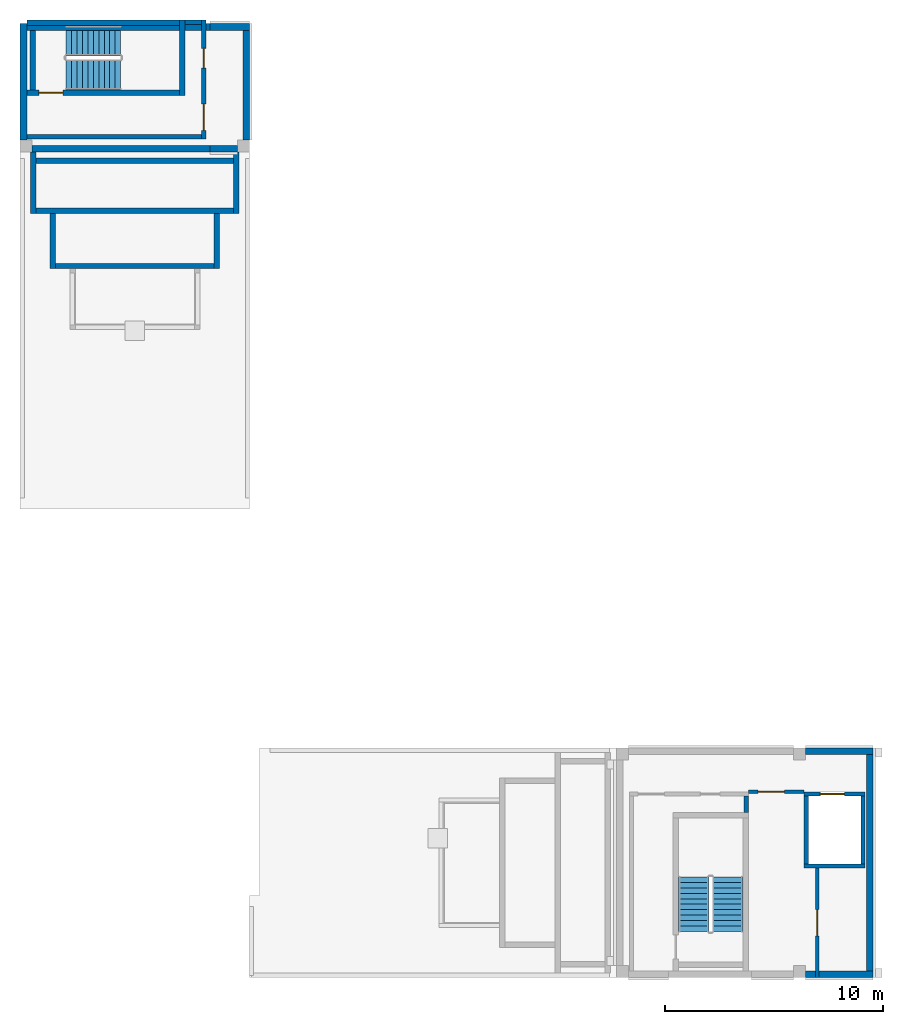
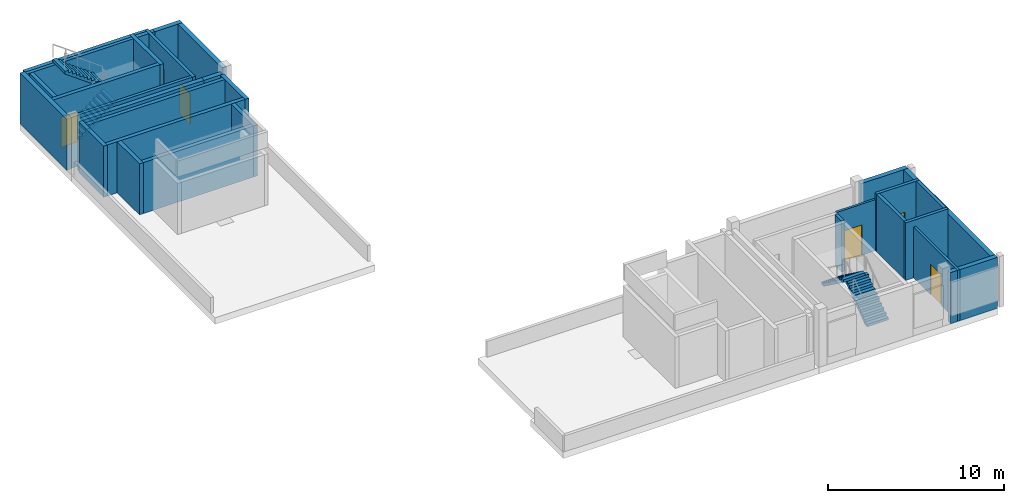
# One storey, part 2 of 4: 30 walls, 6 doors, 4 stair flights, 6 openings, 2 elements without a shape of their own.
"""IFC4 building model written with IfcOpenShell, lengths in metres."""

from ifc_helpers import new_model, si_unit, direction, frame, frame_2d, origin, place, context, subcontext, project, spatial, polyline, rectangle, outline, extrude, source, transform, mapped, material, layer, layer_set, type_object, element, fill, aggregate, save


model = new_model("IFC4")

# Units and contexts
model_context = context("Model", 3, precision=1e-05, world=origin(), true_north=direction((0.0, 1.0)))
body_context = subcontext(model_context, "Body", "Model", "MODEL_VIEW")
ifc_project = project(units=[si_unit("LENGTHUNIT", "METRE"), si_unit("AREAUNIT", "SQUARE_METRE"), si_unit("VOLUMEUNIT", "CUBIC_METRE"), si_unit("PLANEANGLEUNIT", "RADIAN"), si_unit("MASSUNIT", "GRAM", prefix="KILO")], contexts=[model_context])

# Site, building, storey
site_placement = place(None, origin())
site = spatial("IfcSite", under=ifc_project, at=site_placement, CompositionType="ELEMENT")
building_placement = place(site_placement, origin())
building = spatial("IfcBuilding", under=site, at=building_placement, Name="Aurelian Terraces", CompositionType="ELEMENT")
storey_placement = place(building_placement, frame((0.0, 0.0, 376.5)))
storey = spatial("IfcBuildingStorey", under=building, at=storey_placement, Name="L90", CompositionType="ELEMENT", Elevation=376.5)

# Walls
ifc_material_1 = material(Name="Terracotta rainscreen cladding", Category="masonry")
ifc_layer_1 = layer(ifc_material_1, 0.3)
ifc_layer_set_1 = layer_set([ifc_layer_1], Name="EW-300")
wall_type_1 = type_object("IfcWallType", Name="EW-300", PredefinedType="STANDARD", material=ifc_layer_set_1)
wall_1_placement = place(storey_placement, frame((19.2, 37.95, 0.0), z_axis=(0.0, 0.0, 1.0), x_axis=(1.0, 0.0, 0.0)))
element("IfcWall", 1, at=wall_1_placement, inside=storey, type_object=wall_type_1, Name="External wall L90 F05.2", PredefinedType="STANDARD", context=body_context, shape_type="SweptSolid", body=[
    extrude(rectangle(XDim=1.25, YDim=0.3, at=frame_2d((0.625, 0.0))), origin(), (0.0, 0.0, 1.0), 3.55),
])
wall_2_placement = place(storey_placement, frame((20.85, 38.35, 0.0), z_axis=(0.0, 0.0, 1.0), x_axis=(0.0, 1.0, 0.0)))
element("IfcWall", 2, at=wall_2_placement, inside=storey, type_object=wall_type_1, Name="External wall L90 F06.1", PredefinedType="STANDARD", context=body_context, shape_type="SweptSolid", body=[
    extrude(rectangle(XDim=5.33, YDim=0.3, at=frame_2d((2.665, 0.0))), origin(), (0.0, 0.0, 1.0), 3.55),
])
ifc_material_2 = material(Name="Concrete fc' 55 MPa", Category="concrete")
ifc_layer_2 = layer(ifc_material_2, 0.25)
ifc_layer_set_2 = layer_set([ifc_layer_2], Name="PLANT PENTHOUSE 250 FC55")
wall_type_2 = type_object("IfcWallType", Name="PLANT PENTHOUSE 250 FC55", PredefinedType="SOLIDWALL", material=ifc_layer_set_2)
wall_3_placement = place(storey_placement, frame((12.125, 32.583, 0.0), z_axis=(0.0, 0.0, 1.0), x_axis=(1.0, 0.0, 0.0)))
element("IfcWall", 3, at=wall_3_placement, inside=storey, type_object=wall_type_2, Name="Crown tier wall BS2", PredefinedType="SOLIDWALL", context=body_context, shape_type="SweptSolid", body=[
    extrude(rectangle(XDim=7.25, YDim=0.25, at=frame_2d((3.625, 0.0))), origin(), (0.0, 0.0, 1.0), 3.55),
])
wall_4_placement = place(storey_placement, frame((19.5, 32.458, 0.0), z_axis=(0.0, 0.0, 1.0), x_axis=(0.0, 1.0, 0.0)))
element("IfcWall", 4, at=wall_4_placement, inside=storey, type_object=wall_type_2, Name="Crown tier wall BS2", PredefinedType="SOLIDWALL", context=body_context, shape_type="SweptSolid", body=[
    extrude(rectangle(XDim=2.534, YDim=0.25, at=frame_2d((1.267, 0.0))), origin(), (0.0, 0.0, 1.0), 3.55),
])
wall_5_placement = place(storey_placement, frame((11.225, 35.117, 0.0), z_axis=(0.0, 0.0, 1.0), x_axis=(1.0, 0.0, 0.0)))
element("IfcWall", 5, at=wall_5_placement, inside=storey, type_object=wall_type_2, Name="Crown tier wall BS3", PredefinedType="SOLIDWALL", context=body_context, shape_type="SweptSolid", body=[
    extrude(rectangle(XDim=9.05, YDim=0.25, at=frame_2d((4.525, 0.0))), origin(), (0.0, 0.0, 1.0), 3.55),
])
wall_6_placement = place(storey_placement, frame((20.4, 34.992, 0.0), z_axis=(0.0, 0.0, 1.0), x_axis=(0.0, 1.0, 0.0)))
element("IfcWall", 6, at=wall_6_placement, inside=storey, type_object=wall_type_2, Name="Crown tier wall BS3", PredefinedType="SOLIDWALL", context=body_context, shape_type="SweptSolid", body=[
    extrude(rectangle(XDim=2.808, YDim=0.25, at=frame_2d((1.404, 0.0))), origin(), (0.0, 0.0, 1.0), 3.55),
])
ifc_material_3 = material(Name="Concrete fc' 40 MPa", Category="concrete")
ifc_layer_3 = layer(ifc_material_3, 0.3)
ifc_layer_set_3 = layer_set([ifc_layer_3], Name="STAIR BAY WALL 300")
wall_type_3 = type_object("IfcWallType", Name="STAIR BAY WALL 300", PredefinedType="SOLIDWALL", material=ifc_layer_set_3)
wall_7_placement = place(storey_placement, frame((11.05, 37.95, 0.0), z_axis=(0.0, 0.0, 1.0), x_axis=(1.0, 0.0, 0.0)))
element("IfcWall", 7, at=wall_7_placement, inside=storey, type_object=wall_type_3, Name="Stair bay wall L90 F05.1", PredefinedType="SOLIDWALL", context=body_context, shape_type="SweptSolid", body=[
    extrude(rectangle(XDim=8.15, YDim=0.3, at=frame_2d((4.075, 0.0))), origin(), (0.0, 0.0, 1.0), 3.55),
])
wall_8_placement = place(storey_placement, frame((10.65, 43.68, 0.0), z_axis=(0.0, 0.0, 1.0), x_axis=(0.0, -1.0, 0.0)))
element("IfcWall", 8, at=wall_8_placement, inside=storey, type_object=wall_type_3, Name="Stair bay wall L90 F08.1", PredefinedType="SOLIDWALL", context=body_context, shape_type="SweptSolid", body=[
    extrude(rectangle(XDim=5.33, YDim=0.3, at=frame_2d((2.665, 0.0))), origin(), (0.0, 0.0, 1.0), 3.55),
])

# Wall, opening, door
ifc_material_4 = material(Name="Gypsum board on steel studs", Category="steel")
ifc_layer_4 = layer(ifc_material_4, 0.15)
ifc_layer_set_4 = layer_set([ifc_layer_4], Name="Special partition 150")
wall_type_4 = type_object("IfcWallType", Name="Special partition 150", PredefinedType="PARTITIONING", material=ifc_layer_set_4)
wall_9_placement = place(storey_placement, frame((47.0, 0.0, 0.0), z_axis=(0.0, 0.0, 1.0), x_axis=(0.0, 1.0, 0.0)))
wall_9 = element("IfcWall", 9, at=wall_9_placement, inside=storey, type_object=wall_type_4, Name="L90 partition W02", PredefinedType="PARTITIONING", context=body_context, shape_type="SweptSolid", body=[
    extrude(rectangle(XDim=5.0, YDim=0.15, at=frame_2d((2.5, 0.0))), origin(), (0.0, 0.0, 1.0), 3.55),
])
shared_shape_1 = source(origin(), body_context, "Body", "SweptSolid", [
    extrude(rectangle(XDim=1.2, YDim=2.1, at=frame_2d((0.6, 1.05))), frame((0.0, 0.085, 0.0), z_axis=(0.0, -1.0, 0.0), x_axis=(1.0, 0.0, 0.0)), (0.0, 0.0, 1.0), 0.17),
])
opening_1_placement = place(wall_9_placement, frame((1.9, 0.0, 0.0)))
opening_1 = element("IfcOpeningElement", 10, at=opening_1_placement, cuts=wall_9, Name="Opening 79302", PredefinedType="OPENING", context=body_context, shape_type="MappedRepresentation", body=[
    mapped(shared_shape_1, transform((0.0, 0.0, 0.0), scale=1.0)),
])
ifc_material_5 = material(Name="Steel door leaf", Category="steel")
door_type_1 = type_object("IfcDoorType", Name="Special door 1200x2100", OperationType="SINGLE_SWING_LEFT", PredefinedType="DOOR", material=ifc_material_5)
shared_shape_2 = source(origin(), body_context, "Body", "SweptSolid", [
    extrude(rectangle(XDim=1.2, YDim=2.1, at=frame_2d((0.6, 1.05))), frame((0.0, 0.025, 0.0), z_axis=(0.0, -1.0, 0.0), x_axis=(1.0, 0.0, 0.0)), (0.0, 0.0, 1.0), 0.05),
])
door_1_placement = place(opening_1_placement, origin())
door_1 = element("IfcDoor", 11, at=door_1_placement, inside=storey, type_object=door_type_1, Name="Door 79302", OperationType="SINGLE_SWING_LEFT", OverallHeight=2.1, OverallWidth=1.2, PredefinedType="DOOR", context=body_context, shape_type="MappedRepresentation", body=[
    mapped(shared_shape_2, transform((0.0, 0.0, 0.0), scale=1.0)),
])
fill(opening_1, door_1)

# Walls
shared_shape_3 = source(origin(), body_context, "Body", "SweptSolid", [
    extrude(rectangle(XDim=2.534, YDim=0.25, at=frame_2d((1.267, 0.0))), origin(), (0.0, 0.0, 1.0), 3.55),
])
wall_10_placement = place(storey_placement, frame((12.0, 34.992, 0.0), z_axis=(0.0, 0.0, 1.0), x_axis=(0.0, -1.0, 0.0)))
element("IfcWall", 12, at=wall_10_placement, inside=storey, type_object=wall_type_2, Name="Crown tier wall BS2", PredefinedType="SOLIDWALL", context=body_context, shape_type="MappedRepresentation", body=[
    mapped(shared_shape_3, transform((0.0, 0.0, 0.0), scale=1.0)),
])
shared_shape_4 = source(origin(), body_context, "Body", "SweptSolid", [
    extrude(rectangle(XDim=9.05, YDim=0.25, at=frame_2d((4.525, 0.0))), origin(), (0.0, 0.0, 1.0), 3.55),
])
wall_11_placement = place(storey_placement, frame((20.275, 37.4, 0.0), z_axis=(0.0, 0.0, 1.0), x_axis=(-1.0, 0.0, 0.0)))
element("IfcWall", 13, at=wall_11_placement, inside=storey, type_object=wall_type_2, Name="Crown tier wall BS3", PredefinedType="SOLIDWALL", context=body_context, shape_type="MappedRepresentation", body=[
    mapped(shared_shape_4, transform((0.0, 0.0, 0.0), scale=1.0)),
])
shared_shape_5 = source(origin(), body_context, "Body", "SweptSolid", [
    extrude(rectangle(XDim=2.808, YDim=0.25, at=frame_2d((1.404, 0.0))), origin(), (0.0, 0.0, 1.0), 3.55),
])
wall_12_placement = place(storey_placement, frame((11.1, 37.8, 0.0), z_axis=(0.0, 0.0, 1.0), x_axis=(0.0, -1.0, 0.0)))
element("IfcWall", 14, at=wall_12_placement, inside=storey, type_object=wall_type_2, Name="Crown tier wall BS3", PredefinedType="SOLIDWALL", context=body_context, shape_type="MappedRepresentation", body=[
    mapped(shared_shape_5, transform((0.0, 0.0, 0.0), scale=1.0)),
])
shared_shape_6 = source(origin(), body_context, "Body", "SweptSolid", [
    extrude(rectangle(XDim=3.085, YDim=0.3, at=frame_2d((1.5425, 0.0))), origin(), (0.0, 0.0, 1.0), 3.55),
])
for number, where, z_axis, x_axis, name in (
    (15, (46.475, 0.15, 0.0), (0.0, 0.0, 1.0), (1.0, 0.0, 0.0), "External wall L90 F01.4"),
    (16, (49.56, 10.35, 0.0), (0.0, 0.0, 1.0), (-1.0, 0.0, 0.0), "External wall L90 F03.1"),
):
    element("IfcWall", number, at=place(storey_placement, frame(where, z_axis=z_axis, x_axis=x_axis)), inside=storey, type_object=wall_type_1, Name=name, PredefinedType="STANDARD", context=body_context, shape_type="MappedRepresentation", body=[
        mapped(shared_shape_6, transform((0.0, 0.0, 0.0), scale=1.0)),
    ])
shared_shape_7 = source(origin(), body_context, "Body", "SweptSolid", [
    extrude(rectangle(XDim=10.5, YDim=0.3, at=frame_2d((5.25, 0.0))), origin(), (0.0, 0.0, 1.0), 3.55),
])
wall_13_placement = place(storey_placement, frame((49.41, 0.0, 0.0), z_axis=(0.0, 0.0, 1.0), x_axis=(0.0, 1.0, 0.0)))
element("IfcWall", 17, at=wall_13_placement, inside=storey, type_object=wall_type_1, Name="External wall L90 F02.1", PredefinedType="STANDARD", context=body_context, shape_type="MappedRepresentation", body=[
    mapped(shared_shape_7, transform((0.0, 0.0, 0.0), scale=1.0)),
])
shared_shape_8 = source(origin(), body_context, "Body", "SweptSolid", [
    extrude(rectangle(XDim=1.8, YDim=0.3, at=frame_2d((0.9, 0.0))), origin(), (0.0, 0.0, 1.0), 3.55),
])
wall_14_placement = place(storey_placement, frame((21.0, 43.53, 0.0), z_axis=(0.0, 0.0, 1.0), x_axis=(-1.0, 0.0, 0.0)))
element("IfcWall", 18, at=wall_14_placement, inside=storey, type_object=wall_type_1, Name="External wall L90 F07.1", PredefinedType="STANDARD", context=body_context, shape_type="MappedRepresentation", body=[
    mapped(shared_shape_8, transform((0.0, 0.0, 0.0), scale=1.0)),
])
shared_shape_9 = source(origin(), body_context, "Body", "SweptSolid", [
    extrude(rectangle(XDim=8.6, YDim=0.3, at=frame_2d((4.3, 0.0))), origin(), (0.0, 0.0, 1.0), 3.55),
])
wall_15_placement = place(storey_placement, frame((19.2, 43.53, 0.0), z_axis=(0.0, 0.0, 1.0), x_axis=(-1.0, 0.0, 0.0)))
element("IfcWall", 19, at=wall_15_placement, inside=storey, type_object=wall_type_3, Name="Stair bay wall L90 F07.2", PredefinedType="SOLIDWALL", context=body_context, shape_type="MappedRepresentation", body=[
    mapped(shared_shape_9, transform((0.0, 0.0, 0.0), scale=1.0)),
])
ifc_layer_5 = layer(ifc_material_3, 0.2)
ifc_layer_set_5 = layer_set([ifc_layer_5], Name="Lift shaft wall 200")
wall_type_5 = type_object("IfcWallType", Name="Lift shaft wall 200", PredefinedType="SOLIDWALL", material=ifc_layer_set_5)
shared_shape_10 = source(origin(), body_context, "Body", "SweptSolid", [
    extrude(rectangle(XDim=2.8, YDim=0.2, at=frame_2d((1.4, 0.0))), origin(), (0.0, 0.0, 1.0), 4.0),
])
wall_16_placement = place(storey_placement, frame((46.4, 5.1, 0.0), z_axis=(0.0, 0.0, 1.0), x_axis=(1.0, 0.0, 0.0)))
element("IfcWall", 20, at=wall_16_placement, inside=storey, type_object=wall_type_5, Name="L90 core wall SV-F", PredefinedType="SOLIDWALL", context=body_context, shape_type="MappedRepresentation", body=[
    mapped(shared_shape_10, transform((0.0, 0.0, 0.0), scale=1.0)),
])

# Wall, opening, door
wall_17_placement = place(storey_placement, frame((46.4, 8.4, 0.0), z_axis=(0.0, 0.0, 1.0), x_axis=(1.0, 0.0, 0.0)))
wall_17 = element("IfcWall", 21, at=wall_17_placement, inside=storey, type_object=wall_type_5, Name="L90 core wall SV-N", PredefinedType="SOLIDWALL", context=body_context, shape_type="MappedRepresentation", body=[
    mapped(shared_shape_10, transform((0.0, 0.0, 0.0), scale=1.0)),
])
shared_shape_11 = source(origin(), body_context, "Body", "SweptSolid", [
    extrude(rectangle(XDim=1.1, YDim=2.1, at=frame_2d((0.55, 1.05))), frame((0.0, 0.11, 0.0), z_axis=(0.0, -1.0, 0.0), x_axis=(1.0, 0.0, 0.0)), (0.0, 0.0, 1.0), 0.22),
])
opening_2_placement = place(wall_17_placement, frame((0.75, 0.0, 0.0)))
opening_2 = element("IfcOpeningElement", 22, at=opening_2_placement, cuts=wall_17, Name="Opening 69300", PredefinedType="OPENING", context=body_context, shape_type="MappedRepresentation", body=[
    mapped(shared_shape_11, transform((0.0, 0.0, 0.0), scale=1.0)),
])
ifc_material_6 = material(Name="Stainless steel", Category="steel")
door_type_2 = type_object("IfcDoorType", Name="Lift landing door 1100x2100", OperationType="SLIDING_TO_LEFT", PredefinedType="DOOR", material=ifc_material_6)
shared_shape_12 = source(origin(), body_context, "Body", "SweptSolid", [
    extrude(rectangle(XDim=1.1, YDim=2.1, at=frame_2d((0.55, 1.05))), frame((0.0, 0.025, 0.0), z_axis=(0.0, -1.0, 0.0), x_axis=(1.0, 0.0, 0.0)), (0.0, 0.0, 1.0), 0.05),
])
door_2_placement = place(opening_2_placement, origin())
door_2 = element("IfcDoor", 23, at=door_2_placement, inside=storey, type_object=door_type_2, Name="Lift landing door SV1 L90", OperationType="SLIDING_TO_LEFT", OverallHeight=2.1, OverallWidth=1.1, PredefinedType="DOOR", context=body_context, shape_type="MappedRepresentation", body=[
    mapped(shared_shape_12, transform((0.0, 0.0, 0.0), scale=1.0)),
])
fill(opening_2, door_2)

# Walls
shared_shape_13 = source(origin(), body_context, "Body", "SweptSolid", [
    extrude(rectangle(XDim=3.1, YDim=0.2, at=frame_2d((1.55, 0.0))), origin(), (0.0, 0.0, 1.0), 4.0),
])
for number, where, z_axis, x_axis, name in (
    (24, (46.5, 5.2, 0.0), (0.0, 0.0, 1.0), (0.0, 1.0, 0.0), "L90 core wall SV-W"),
    (25, (49.1, 5.2, 0.0), (0.0, 0.0, 1.0), (0.0, 1.0, 0.0), "L90 core wall SV-E"),
):
    element("IfcWall", number, at=place(storey_placement, frame(where, z_axis=z_axis, x_axis=x_axis)), inside=storey, type_object=wall_type_5, Name=name, PredefinedType="SOLIDWALL", context=body_context, shape_type="MappedRepresentation", body=[
        mapped(shared_shape_13, transform((0.0, 0.0, 0.0), scale=1.0)),
    ])

# Wall, opening, door
ifc_layer_6 = layer(ifc_material_3, 0.25)
ifc_layer_set_6 = layer_set([ifc_layer_6], Name="Stair enclosure wall 250")
wall_type_6 = type_object("IfcWallType", Name="Stair enclosure wall 250", PredefinedType="SOLIDWALL", material=ifc_layer_set_6)
shared_shape_14 = source(origin(), body_context, "Body", "SweptSolid", [
    extrude(rectangle(XDim=7.0, YDim=0.25, at=frame_2d((3.5, 0.0))), origin(), (0.0, 0.0, 1.0), 3.55),
])
wall_18_placement = place(storey_placement, frame((10.8, 40.525, 0.0), z_axis=(0.0, 0.0, 1.0), x_axis=(1.0, 0.0, 0.0)))
wall_18 = element("IfcWall", 26, at=wall_18_placement, inside=storey, type_object=wall_type_6, Name="L90 core wall ST-S3U-W", PredefinedType="SOLIDWALL", context=body_context, shape_type="MappedRepresentation", body=[
    mapped(shared_shape_14, transform((0.0, 0.0, 0.0), scale=1.0)),
])
shared_shape_15 = source(origin(), body_context, "Body", "SweptSolid", [
    extrude(rectangle(XDim=1.1, YDim=2.1, at=frame_2d((0.55, 1.05))), frame((0.0, 0.135, 0.0), z_axis=(0.0, -1.0, 0.0), x_axis=(1.0, 0.0, 0.0)), (0.0, 0.0, 1.0), 0.27),
])
opening_3_placement = place(wall_18_placement, frame((0.55, 0.0, 0.0)))
opening_3 = element("IfcOpeningElement", 27, at=opening_3_placement, cuts=wall_18, Name="Opening 69304", PredefinedType="OPENING", context=body_context, shape_type="MappedRepresentation", body=[
    mapped(shared_shape_15, transform((0.0, 0.0, 0.0), scale=1.0)),
])
door_type_3 = type_object("IfcDoorType", Name="Core fire door 1100x2100 right", OperationType="SINGLE_SWING_RIGHT", PredefinedType="DOOR", material=ifc_material_5)
door_3_placement = place(opening_3_placement, origin())
door_3 = element("IfcDoor", 28, at=door_3_placement, inside=storey, type_object=door_type_3, Name="Stair door 69304", OperationType="SINGLE_SWING_RIGHT", OverallHeight=2.1, OverallWidth=1.1, PredefinedType="DOOR", context=body_context, shape_type="MappedRepresentation", body=[
    mapped(shared_shape_12, transform((0.0, 0.0, 0.0), scale=1.0)),
])
fill(opening_3, door_3)

# Walls
wall_19_placement = place(storey_placement, frame((10.8, 43.725, 0.0), z_axis=(0.0, 0.0, 1.0), x_axis=(1.0, 0.0, 0.0)))
element("IfcWall", 29, at=wall_19_placement, inside=storey, type_object=wall_type_6, Name="L90 core wall ST-S3U-E", PredefinedType="SOLIDWALL", context=body_context, shape_type="MappedRepresentation", body=[
    mapped(shared_shape_14, transform((0.0, 0.0, 0.0), scale=1.0)),
])
shared_shape_16 = source(origin(), body_context, "Body", "SweptSolid", [
    extrude(rectangle(XDim=3.45, YDim=0.25, at=frame_2d((1.725, 0.0))), origin(), (0.0, 0.0, 1.0), 3.55),
])
wall_20_placement = place(storey_placement, frame((17.925, 40.4, 0.0), z_axis=(0.0, 0.0, 1.0), x_axis=(0.0, 1.0, 0.0)))
element("IfcWall", 30, at=wall_20_placement, inside=storey, type_object=wall_type_6, Name="L90 core wall ST-S3U-N", PredefinedType="SOLIDWALL", context=body_context, shape_type="MappedRepresentation", body=[
    mapped(shared_shape_16, transform((0.0, 0.0, 0.0), scale=1.0)),
])
ifc_layer_7 = layer(ifc_material_4, 0.2)
ifc_layer_set_7 = layer_set([ifc_layer_7], Name="Core partition 200")
wall_type_7 = type_object("IfcWallType", Name="Core partition 200", PredefinedType="PARTITIONING", material=ifc_layer_set_7)
shared_shape_17 = source(origin(), body_context, "Body", "SweptSolid", [
    extrude(rectangle(XDim=8.0, YDim=0.2, at=frame_2d((4.0, 0.0))), origin(), (0.0, 0.0, 1.0), 3.55),
])
wall_21_placement = place(storey_placement, frame((10.8, 38.5, 0.0), z_axis=(0.0, 0.0, 1.0), x_axis=(1.0, 0.0, 0.0)))
element("IfcWall", 31, at=wall_21_placement, inside=storey, type_object=wall_type_7, Name="L90 core wall ST-S3U-VW", PredefinedType="PARTITIONING", context=body_context, shape_type="MappedRepresentation", body=[
    mapped(shared_shape_17, transform((0.0, 0.0, 0.0), scale=1.0)),
])

# Wall, openings, doors
shared_shape_18 = source(origin(), body_context, "Body", "SweptSolid", [
    extrude(rectangle(XDim=5.45, YDim=0.2, at=frame_2d((2.725, 0.0))), origin(), (0.0, 0.0, 1.0), 3.55),
])
wall_22_placement = place(storey_placement, frame((18.9, 38.4, 0.0), z_axis=(0.0, 0.0, 1.0), x_axis=(0.0, 1.0, 0.0)))
wall_22 = element("IfcWall", 32, at=wall_22_placement, inside=storey, type_object=wall_type_7, Name="L90 core wall ST-S3U-BN", PredefinedType="PARTITIONING", context=body_context, shape_type="MappedRepresentation", body=[
    mapped(shared_shape_18, transform((0.0, 0.0, 0.0), scale=1.0)),
])
shared_shape_19 = source(origin(), body_context, "Body", "SweptSolid", [
    extrude(rectangle(XDim=1.2, YDim=2.1, at=frame_2d((0.6, 1.05))), frame((0.0, 0.11, 0.0), z_axis=(0.0, -1.0, 0.0), x_axis=(1.0, 0.0, 0.0)), (0.0, 0.0, 1.0), 0.22),
])
opening_4_placement = place(wall_22_placement, frame((0.4, 0.0, 0.0)))
opening_4 = element("IfcOpeningElement", 33, at=opening_4_placement, cuts=wall_22, Name="Opening 69305", PredefinedType="OPENING", context=body_context, shape_type="MappedRepresentation", body=[
    mapped(shared_shape_19, transform((0.0, 0.0, 0.0), scale=1.0)),
])
shared_shape_20 = source(origin(), body_context, "Body", "SweptSolid", [
    extrude(rectangle(XDim=0.9, YDim=2.1, at=frame_2d((0.45, 1.05))), frame((0.0, 0.11, 0.0), z_axis=(0.0, -1.0, 0.0), x_axis=(1.0, 0.0, 0.0)), (0.0, 0.0, 1.0), 0.22),
])
opening_5_placement = place(wall_22_placement, frame((3.25, 0.0, 0.0)))
opening_5 = element("IfcOpeningElement", 34, at=opening_5_placement, cuts=wall_22, Name="Opening 69306", PredefinedType="OPENING", context=body_context, shape_type="MappedRepresentation", body=[
    mapped(shared_shape_20, transform((0.0, 0.0, 0.0), scale=1.0)),
])
door_type_4 = type_object("IfcDoorType", Name="Core riser door 900x2100 right", OperationType="SINGLE_SWING_RIGHT", PredefinedType="DOOR", material=ifc_material_5)
shared_shape_21 = source(origin(), body_context, "Body", "SweptSolid", [
    extrude(rectangle(XDim=0.9, YDim=2.1, at=frame_2d((0.45, 1.05))), frame((0.0, 0.025, 0.0), z_axis=(0.0, -1.0, 0.0), x_axis=(1.0, 0.0, 0.0)), (0.0, 0.0, 1.0), 0.05),
])
door_4_placement = place(opening_5_placement, origin())
door_4 = element("IfcDoor", 35, at=door_4_placement, inside=storey, type_object=door_type_4, Name="Riser door 69306", OperationType="SINGLE_SWING_RIGHT", OverallHeight=2.1, OverallWidth=0.9, PredefinedType="DOOR", context=body_context, shape_type="MappedRepresentation", body=[
    mapped(shared_shape_21, transform((0.0, 0.0, 0.0), scale=1.0)),
])
fill(opening_5, door_4)
door_type_5 = type_object("IfcDoorType", Name="Core fire door 1200x2100", OperationType="SINGLE_SWING_LEFT", PredefinedType="DOOR", material=ifc_material_5)
door_5_placement = place(opening_4_placement, origin())
door_5 = element("IfcDoor", 36, at=door_5_placement, inside=storey, type_object=door_type_5, Name="Vestibule door 69305", OperationType="SINGLE_SWING_LEFT", OverallHeight=2.1, OverallWidth=1.2, PredefinedType="DOOR", context=body_context, shape_type="MappedRepresentation", body=[
    mapped(shared_shape_2, transform((0.0, 0.0, 0.0), scale=1.0)),
])
fill(opening_4, door_5)

# Walls
shared_shape_22 = source(origin(), body_context, "Body", "SweptSolid", [
    extrude(rectangle(XDim=0.75, YDim=0.2, at=frame_2d((0.375, 0.0))), origin(), (0.0, 0.0, 1.0), 3.55),
])
for number, where, z_axis, x_axis, name in (
    (37, (43.75, 7.55, 0.0), (0.0, 0.0, 1.0), (0.0, 1.0, 0.0), "L90 core wall ST-S2-RE"),
    (38, (18.05, 43.75, 0.0), (0.0, 0.0, 1.0), (1.0, 0.0, 0.0), "L90 core wall ST-S3U-RE"),
):
    element("IfcWall", number, at=place(storey_placement, frame(where, z_axis=z_axis, x_axis=x_axis)), inside=storey, type_object=wall_type_7, Name=name, PredefinedType="PARTITIONING", context=body_context, shape_type="MappedRepresentation", body=[
        mapped(shared_shape_22, transform((0.0, 0.0, 0.0), scale=1.0)),
    ])
shared_shape_23 = source(origin(), body_context, "Body", "SweptSolid", [
    extrude(rectangle(XDim=2.73, YDim=0.25, at=frame_2d((1.365, 0.0))), origin(), (0.0, 0.0, 1.0), 3.55),
])
wall_23_placement = place(storey_placement, frame((11.075, 40.65, 0.0), z_axis=(0.0, 0.0, 1.0), x_axis=(0.0, 1.0, 0.0)))
element("IfcWall", 39, at=wall_23_placement, inside=storey, type_object=wall_type_6, Name="L90 core wall ST-S3U-SS", PredefinedType="SOLIDWALL", context=body_context, shape_type="MappedRepresentation", body=[
    mapped(shared_shape_23, transform((0.0, 0.0, 0.0), scale=1.0)),
])

# Wall, opening, door
shared_shape_24 = source(origin(), body_context, "Body", "SweptSolid", [
    extrude(rectangle(XDim=2.55, YDim=0.15, at=frame_2d((1.275, 0.0))), origin(), (0.0, 0.0, 1.0), 3.55),
])
wall_24_placement = place(storey_placement, frame((43.85, 8.5, 0.0), z_axis=(0.0, 0.0, 1.0), x_axis=(1.0, 0.0, 0.0)))
wall_24 = element("IfcWall", 40, at=wall_24_placement, inside=storey, type_object=wall_type_4, Name="L90 partition W01", PredefinedType="PARTITIONING", context=body_context, shape_type="MappedRepresentation", body=[
    mapped(shared_shape_24, transform((0.0, 0.0, 0.0), scale=1.0)),
])
opening_6_placement = place(wall_24_placement, frame((0.45, 0.0, 0.0)))
opening_6 = element("IfcOpeningElement", 41, at=opening_6_placement, cuts=wall_24, Name="Opening 79301", PredefinedType="OPENING", context=body_context, shape_type="MappedRepresentation", body=[
    mapped(shared_shape_1, transform((0.0, 0.0, 0.0), scale=1.0)),
])
door_type_6 = type_object("IfcDoorType", Name="Special door 1200x2100 right", OperationType="SINGLE_SWING_RIGHT", PredefinedType="DOOR", material=ifc_material_5)
door_6_placement = place(opening_6_placement, origin())
door_6 = element("IfcDoor", 42, at=door_6_placement, inside=storey, type_object=door_type_6, Name="Door 79301", OperationType="SINGLE_SWING_RIGHT", OverallHeight=2.1, OverallWidth=1.2, PredefinedType="DOOR", context=body_context, shape_type="MappedRepresentation", body=[
    mapped(shared_shape_2, transform((0.0, 0.0, 0.0), scale=1.0)),
])
fill(opening_6, door_6)

# Stair, stair flights
stair_type = type_object("IfcStairType", Name="Stair 1400", PredefinedType="HALF_TURN_STAIR", material=ifc_material_3)
stair_1_placement = place(storey_placement, origin())
stair_1 = element("IfcStair", 43, at=stair_1_placement, inside=storey, type_object=stair_type, Name="L90 S2", PredefinedType="HALF_TURN_STAIR")
stair_flight_type = type_object("IfcStairFlightType", Name="Stair flight 1400", PredefinedType="STRAIGHT", material=ifc_material_3)
shared_shape_25 = source(origin(), body_context, "Body", "SweptSolid", [
    extrude(outline(polyline([(0.0, 0.0), (0.0, 0.1818), (0.25, 0.1818), (0.25, 0.3636), (0.5, 0.3636), (0.5, 0.5455), (0.75, 0.5455), (0.75, 0.7273), (1.0, 0.7273), (1.0, 0.9091), (1.25, 0.9091), (1.25, 1.0909), (1.5, 1.0909), (1.5, 1.2727), (1.75, 1.2727), (1.75, 1.4545), (2.0, 1.4545), (2.0, 1.6364), (2.25, 1.6364), (2.25, 1.8182), (2.5, 1.8182), (2.5, 2.0), (2.5, 1.6327), (0.255, 0.0), (0.0, 0.0)])), frame((0.0, 0.7, 0.0), z_axis=(0.0, -1.0, 0.0), x_axis=(1.0, 0.0, 0.0)), (0.0, 0.0, 1.0), 1.4),
])
stair_flight_1_placement = place(storey_placement, frame((42.9, 2.1, 2e-08), z_axis=(0.0, 0.0, 1.0), x_axis=(0.0, 1.0, 0.0)))
stair_flight_1 = element("IfcStairFlight", 44, at=stair_flight_1_placement, type_object=stair_flight_type, Name="S2 flight 1", NumberOfRisers=11, NumberOfTreads=10, PredefinedType="STRAIGHT", RiserHeight=0.181818182, TreadLength=0.25, context=body_context, shape_type="MappedRepresentation", body=[
    mapped(shared_shape_25, transform((0.0, 0.0, 0.0), scale=1.0)),
])
stair_flight_2_placement = place(storey_placement, frame((41.35, 4.6, 2.00000002), z_axis=(0.0, 0.0, 1.0), x_axis=(0.0, -1.0, 0.0)))
stair_flight_2 = element("IfcStairFlight", 45, at=stair_flight_2_placement, type_object=stair_flight_type, Name="S2 flight 2", NumberOfRisers=11, NumberOfTreads=10, PredefinedType="STRAIGHT", RiserHeight=0.181818182, TreadLength=0.25, context=body_context, shape_type="MappedRepresentation", body=[
    mapped(shared_shape_25, transform((0.0, 0.0, 0.0), scale=1.0)),
])
aggregate(stair_1, [stair_flight_1, stair_flight_2])

stair_2_placement = place(storey_placement, origin())
stair_2 = element("IfcStair", 46, at=stair_2_placement, inside=storey, type_object=stair_type, Name="L90 S3U", PredefinedType="HALF_TURN_STAIR")
stair_flight_3_placement = place(storey_placement, frame((12.6, 41.35, 2e-08), z_axis=(0.0, 0.0, 1.0), x_axis=(1.0, 0.0, 0.0)))
stair_flight_3 = element("IfcStairFlight", 47, at=stair_flight_3_placement, type_object=stair_flight_type, Name="S3U flight 1", NumberOfRisers=11, NumberOfTreads=10, PredefinedType="STRAIGHT", RiserHeight=0.181818182, TreadLength=0.25, context=body_context, shape_type="MappedRepresentation", body=[
    mapped(shared_shape_25, transform((0.0, 0.0, 0.0), scale=1.0)),
])
stair_flight_4_placement = place(storey_placement, frame((15.1, 42.9, 2.00000002), z_axis=(0.0, 0.0, 1.0), x_axis=(-1.0, 0.0, 0.0)))
stair_flight_4 = element("IfcStairFlight", 48, at=stair_flight_4_placement, type_object=stair_flight_type, Name="S3U flight 2", NumberOfRisers=11, NumberOfTreads=10, PredefinedType="STRAIGHT", RiserHeight=0.181818182, TreadLength=0.25, context=body_context, shape_type="MappedRepresentation", body=[
    mapped(shared_shape_25, transform((0.0, 0.0, 0.0), scale=1.0)),
])
aggregate(stair_2, [stair_flight_3, stair_flight_4])

save(model, "model.ifc")
